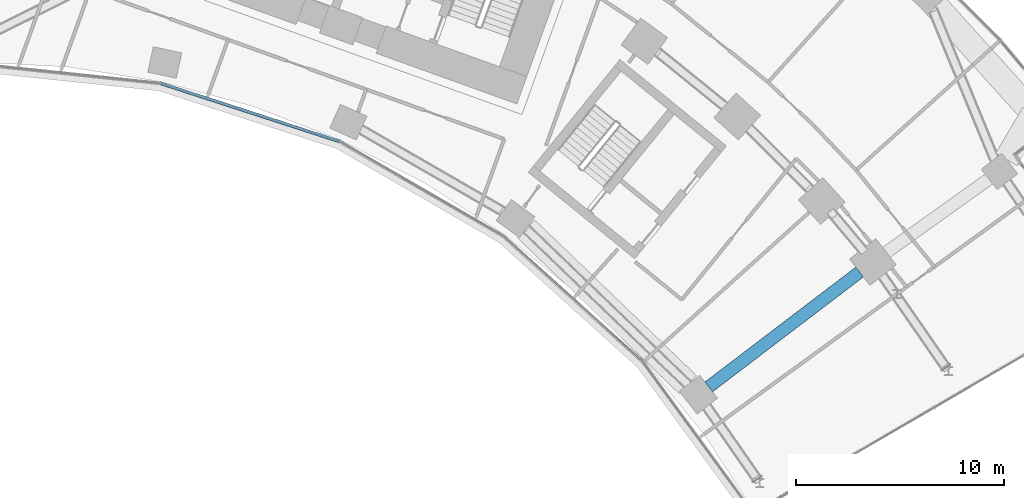
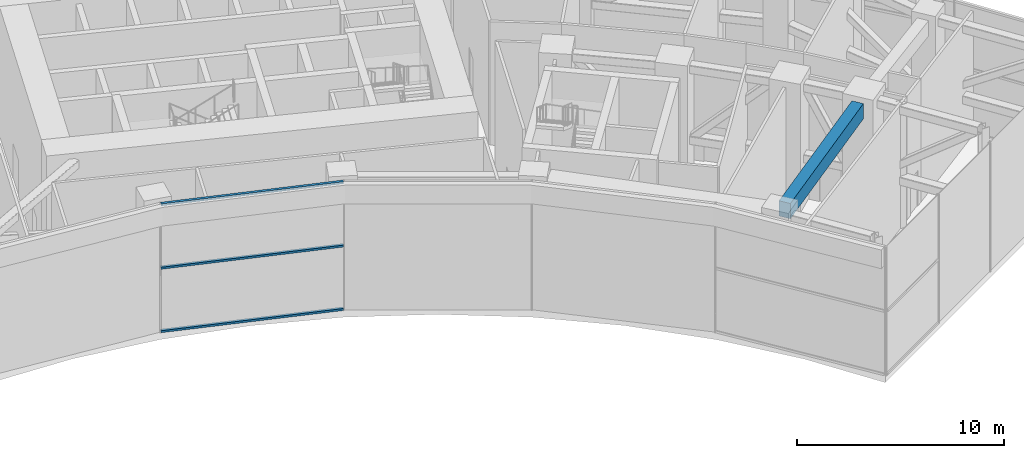
# One storey, part 10 of 33: 3 members, 1 beam, 1 element without a shape of its own.
"""IFC4 building model written with IfcOpenShell, lengths in metres."""

from ifc_helpers import new_model, si_unit, direction, frame, origin, origin_2d, place, context, subcontext, project, spatial, rectangle, extrude, material, layer, layer_set, material_profile, profile_set, type_object, element, aggregate, save


model = new_model("IFC4")

# Units and contexts
model_context = context("Model", 3, precision=1e-05, world=origin(), true_north=direction((0.0, 1.0)))
body_context = subcontext(model_context, "Body", "Model", "MODEL_VIEW")
ifc_project = project(units=[si_unit("LENGTHUNIT", "METRE"), si_unit("AREAUNIT", "SQUARE_METRE"), si_unit("VOLUMEUNIT", "CUBIC_METRE"), si_unit("PLANEANGLEUNIT", "RADIAN"), si_unit("MASSUNIT", "GRAM", prefix="KILO")], contexts=[model_context])

# Site, building, storey
site_placement = place(None, origin())
site = spatial("IfcSite", under=ifc_project, at=site_placement, CompositionType="ELEMENT")
building_placement = place(site_placement, origin())
building = spatial("IfcBuilding", under=site, at=building_placement, Name="Stone Belt Terrace Tower", CompositionType="ELEMENT")
storey_placement = place(building_placement, frame((0.0, 0.0, 79.39990234375)))
storey = spatial("IfcBuildingStorey", under=building, at=storey_placement, Name="L19", CompositionType="ELEMENT", Elevation=79.39990234375)

# Curtain wall, members
ifc_material_1 = material(Name="Aluminium 6063-T6 anodised frame", Category="aluminium")
ifc_layer = layer(ifc_material_1, 0.14990234375)
ifc_layer_set = layer_set([ifc_layer], Name="CW-B unitised concave-face curtain wall")
curtain_wall_type = type_object("IfcCurtainWallType", Name="CW-B unitised concave-face curtain wall", PredefinedType="NOTDEFINED", material=ifc_layer_set)
curtain_wall_placement = place(storey_placement, origin())
curtain_wall = element("IfcCurtainWall", 1, at=curtain_wall_placement, inside=storey, type_object=curtain_wall_type, Name="CW-B concave face L19", PredefinedType="NOTDEFINED")
ifc_material_profile_1 = material_profile(ifc_material_1, rectangle(XDim=0.14990234375, YDim=0.1201171875, at=origin_2d()), Name="Aluminium 6063-T6 150x120")
ifc_profile_set_1 = profile_set([ifc_material_profile_1], Name="Aluminium 6063-T6 anodised frame")
member_type = type_object("IfcMemberType", Name="CW-B transom 120 x 150", PredefinedType="USERDEFINED", material=ifc_profile_set_1)
member_1_placement = place(storey_placement, frame((9.0595703125, 42.465576171875, 0.06005859375), z_axis=(0.951055963285, -0.309018696359, 0.0), x_axis=(0.309018696359, 0.951055963285, 0.0)))
member_1 = element("IfcMember", 2, at=member_1_placement, type_object=member_type, Name="CW-B transom 7.1", ObjectType="TRANSOM", PredefinedType="USERDEFINED", context=body_context, shape_type="SweptSolid", body=[
    extrude(rectangle(XDim=0.14990234375, YDim=0.1201171875, at=origin_2d()), origin(), (0.0, 0.0, 1.0), 9.012939453125),
])
member_2_placement = place(storey_placement, frame((9.0595703125, 42.465576171875, 3.800048828125), z_axis=(0.951055963285, -0.309018696359, 0.0), x_axis=(0.309018696359, 0.951055963285, 0.0)))
member_2 = element("IfcMember", 3, at=member_2_placement, type_object=member_type, Name="CW-B transom 7.2", ObjectType="TRANSOM", PredefinedType="USERDEFINED", context=body_context, shape_type="SweptSolid", body=[
    extrude(rectangle(XDim=0.14990234375, YDim=0.1201171875, at=origin_2d()), origin(), (0.0, 0.0, 1.0), 9.012939453125),
])
member_3_placement = place(storey_placement, frame((9.0595703125, 42.465576171875, 7.5400390625), z_axis=(0.951055963285, -0.309018696359, 0.0), x_axis=(0.309018696359, 0.951055963285, 0.0)))
member_3 = element("IfcMember", 4, at=member_3_placement, type_object=member_type, Name="CW-B transom 7.3", ObjectType="TRANSOM", PredefinedType="USERDEFINED", context=body_context, shape_type="SweptSolid", body=[
    extrude(rectangle(XDim=0.14990234375, YDim=0.1201171875, at=origin_2d()), origin(), (0.0, 0.0, 1.0), 9.012939453125),
])
aggregate(curtain_wall, [member_1, member_2, member_3])

# Beam
ifc_material_2 = material(Name="Concrete B60", Category="concrete")
ifc_material_profile_2 = material_profile(ifc_material_2, rectangle(XDim=0.60009765625, YDim=0.89990234375, at=origin_2d()), Name="RC 600x900")
ifc_profile_set_2 = profile_set([ifc_material_profile_2], Name="Concrete B60")
beam_type = type_object("IfcBeamType", Name="Edge beam RC 600x900 B60", PredefinedType="SPANDREL", material=ifc_profile_set_2)
beam_placement = place(storey_placement, frame((35.431396484375, 27.855224609375, 6.830078125), z_axis=(0.795705994506, 0.605683060939, 0.0), x_axis=(-0.605683060939, 0.795705994506, 0.0)))
element("IfcBeam", 5, at=beam_placement, inside=storey, type_object=beam_type, Name="Edge beam L19 B P to Q", PredefinedType="SPANDREL", context=body_context, shape_type="SweptSolid", body=[
    extrude(rectangle(XDim=0.60009765625, YDim=0.89990234375, at=origin_2d()), origin(), (0.0, 0.0, 1.0), 9.131103515625),
])

save(model, "model.ifc")
